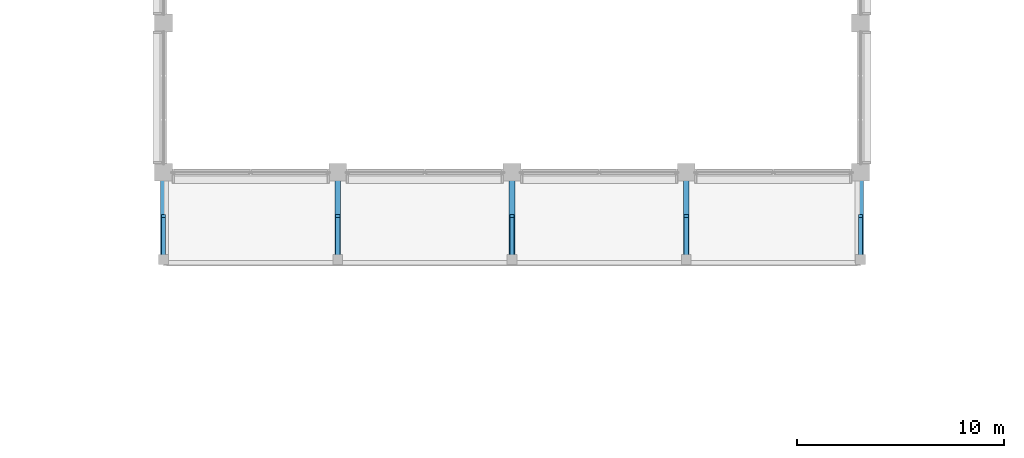
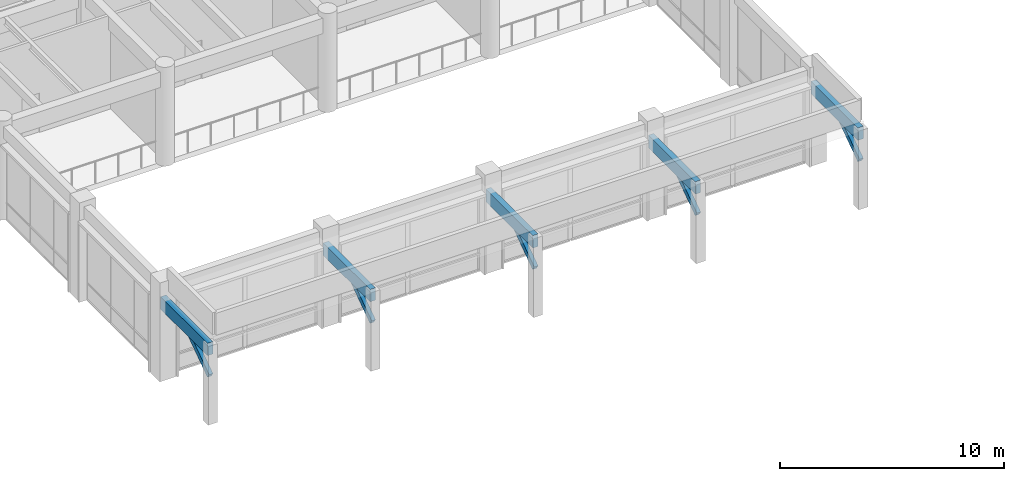
# One storey, part 8 of 68: 5 beams, 5 members.
"""IFC4 building model written with IfcOpenShell, lengths in metres."""

from ifc_helpers import new_model, si_unit, direction, frame, origin, origin_2d, place, context, subcontext, project, spatial, rectangle, extrude, material, material_profile, profile_set, type_object, element, save


model = new_model("IFC4")

# Units and contexts
model_context = context("Model", 3, precision=1e-05, world=origin(), true_north=direction((0.0, 1.0)))
body_context = subcontext(model_context, "Body", "Model", "MODEL_VIEW")
ifc_project = project(units=[si_unit("LENGTHUNIT", "METRE"), si_unit("AREAUNIT", "SQUARE_METRE"), si_unit("VOLUMEUNIT", "CUBIC_METRE"), si_unit("PLANEANGLEUNIT", "RADIAN"), si_unit("MASSUNIT", "GRAM", prefix="KILO")], contexts=[model_context])

# Site, building, storey
site_placement = place(None, origin())
site = spatial("IfcSite", under=ifc_project, at=site_placement, CompositionType="ELEMENT")
building_placement = place(site_placement, origin())
building = spatial("IfcBuilding", under=site, at=building_placement, Name="Chengyuan Square Courthouse", CompositionType="ELEMENT")
storey_placement = place(building_placement, frame((0.0, 0.0, 5.39990234375)))
storey = spatial("IfcBuildingStorey", under=building, at=storey_placement, Name="L02", CompositionType="ELEMENT", Elevation=5.39990234375)

# Beams
ifc_material = material(Name="Glulam TCt28", Category="wood")
ifc_material_profile_1 = material_profile(ifc_material, rectangle(XDim=0.280029296875, YDim=0.679931640625, at=origin_2d()), Name="GL-BM-280x680")
ifc_profile_set_1 = profile_set([ifc_material_profile_1], Name="Glulam TCt28")
beam_type = type_object("IfcBeamType", Name="GLB-01", PredefinedType="BEAM", material=ifc_profile_set_1)
for number, where, z_axis, x_axis, name in (
    (1, (67.199951171875, 64.800048828125, 3.960205078125), (0.0, -1.0, 0.0), (1.0, 0.0, 0.0), "Glulam Colonnade Portal Beam GLB-L02-046"),
    (2, (75.60009765625, 64.800048828125, 3.960205078125), (0.0, -1.0, 0.0), (1.0, 0.0, 0.0), "Glulam Colonnade Portal Beam GLB-L02-047"),
    (3, (84.0, 64.800048828125, 3.960205078125), (0.0, -1.0, 0.0), (1.0, 0.0, 0.0), "Glulam Colonnade Portal Beam GLB-L02-048"),
    (4, (92.39990234375, 64.800048828125, 3.960205078125), (0.0, -1.0, 0.0), (1.0, 0.0, 0.0), "Glulam Colonnade Portal Beam GLB-L02-049"),
    (5, (100.800048828125, 64.800048828125, 3.960205078125), (0.0, -1.0, 0.0), (1.0, 0.0, 0.0), "Glulam Colonnade Portal Beam GLB-L02-050"),
):
    element("IfcBeam", number, at=place(storey_placement, frame(where, z_axis=z_axis, x_axis=x_axis)), inside=storey, type_object=beam_type, Name=name, PredefinedType="BEAM", context=body_context, shape_type="SweptSolid", body=[
        extrude(rectangle(XDim=0.280029296875, YDim=0.679931640625, at=origin_2d()), origin(), (0.0, 0.0, 1.0), 4.199951171875),
    ])

# Members
ifc_material_profile_2 = material_profile(ifc_material, rectangle(XDim=0.199951171875, YDim=0.280029296875, at=origin_2d()), Name="GL-STR-200x280")
ifc_profile_set_2 = profile_set([ifc_material_profile_2], Name="Glulam TCt28")
member_type = type_object("IfcMemberType", Name="STR-01", PredefinedType="STRUT", material=ifc_profile_set_2)
for number, where, z_axis, x_axis, name in (
    (6, (67.199951171875, 60.60009765625, 2.5), (0.0, 0.821008304104, 0.570916250069), (-1.0, 0.0, 0.0), "Glulam Colonnade Knee Strut STR-L02-046"),
    (7, (75.60009765625, 60.60009765625, 2.5), (0.0, 0.821008304104, 0.570916250069), (-1.0, 0.0, 0.0), "Glulam Colonnade Knee Strut STR-L02-047"),
    (8, (84.0, 60.60009765625, 2.5), (0.0, 0.821008304104, 0.570916250069), (-1.0, 0.0, 0.0), "Glulam Colonnade Knee Strut STR-L02-048"),
    (9, (92.39990234375, 60.60009765625, 2.5), (0.0, 0.821008304104, 0.570916250069), (-1.0, 0.0, 0.0), "Glulam Colonnade Knee Strut STR-L02-049"),
    (10, (100.800048828125, 60.60009765625, 2.5), (0.0, 0.821008304104, 0.570916250069), (-1.0, 0.0, 0.0), "Glulam Colonnade Knee Strut STR-L02-050"),
):
    element("IfcMember", number, at=place(storey_placement, frame(where, z_axis=z_axis, x_axis=x_axis)), inside=storey, type_object=member_type, Name=name, PredefinedType="STRUT", context=body_context, shape_type="SweptSolid", body=[
        extrude(rectangle(XDim=0.199951171875, YDim=0.280029296875, at=origin_2d()), origin(), (0.0, 0.0, 1.0), 2.5576171875),
    ])

save(model, "model.ifc")
